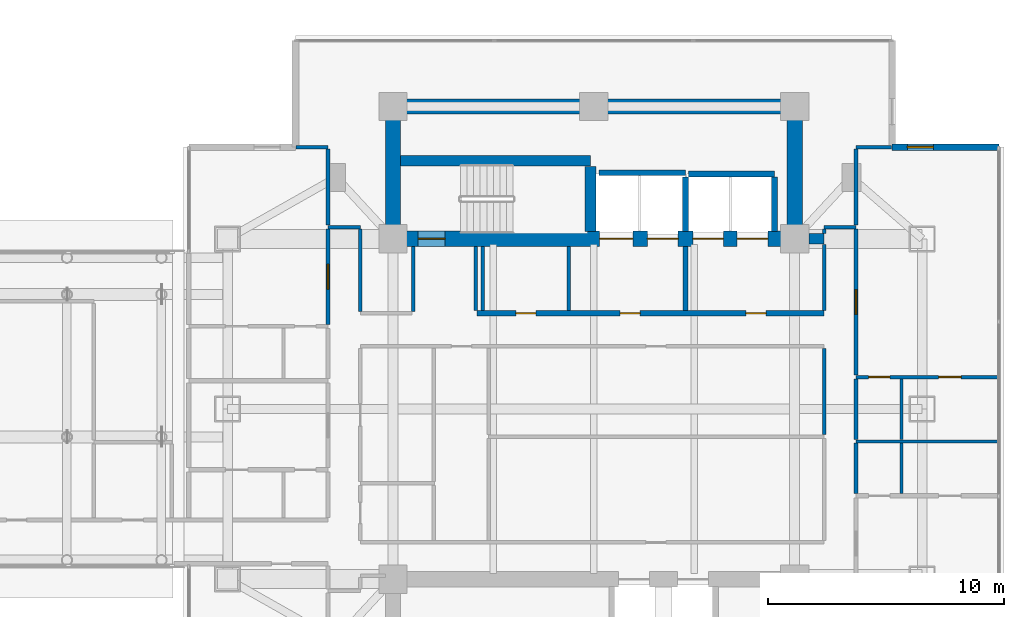
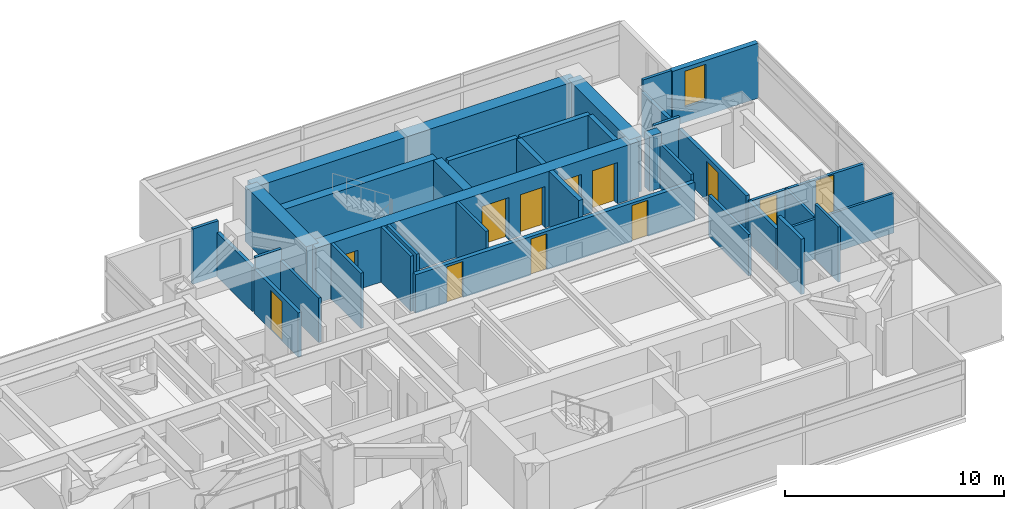
# One storey, part 21 of 29: 36 walls, 12 doors, 1 window, 13 openings.
"""IFC4 building model written with IfcOpenShell, lengths in metres."""

from ifc_helpers import new_model, si_unit, direction, frame, frame_2d, origin, place, context, subcontext, project, spatial, rectangle, extrude, material, layer, layer_set, type_object, element, fill, save


model = new_model("IFC4")

# Units and contexts
model_context = context("Model", 3, precision=1e-05, world=origin(), true_north=direction((0.0, 1.0)))
body_context = subcontext(model_context, "Body", "Model", "MODEL_VIEW")
ifc_project = project(units=[si_unit("LENGTHUNIT", "METRE"), si_unit("AREAUNIT", "SQUARE_METRE"), si_unit("VOLUMEUNIT", "CUBIC_METRE"), si_unit("PLANEANGLEUNIT", "RADIAN"), si_unit("MASSUNIT", "GRAM", prefix="KILO")], contexts=[model_context])

# Site, building, storey
site_placement = place(None, origin())
site = spatial("IfcSite", under=ifc_project, at=site_placement, CompositionType="ELEMENT")
building_placement = place(site_placement, origin())
building = spatial("IfcBuilding", under=site, at=building_placement, Name="Mirazonda Arch Towers", CompositionType="ELEMENT")
storey_placement = place(building_placement, frame((0.0, 0.0, 88.39990234375)))
storey = spatial("IfcBuildingStorey", under=building, at=storey_placement, Name="L24", CompositionType="ELEMENT", Elevation=88.39990234375)

# Walls
ifc_material_1 = material(Name="Concrete C50/60", Category="concrete")
ifc_layer_1 = layer(ifc_material_1, 0.449951171875, Name="WALL-CORE-450")
ifc_layer_set_1 = layer_set([ifc_layer_1], Name="Concrete C50/60")
wall_type_1 = type_object("IfcWallType", Name="WALL-CORE-450", PredefinedType="SHEAR", material=ifc_layer_set_1)
wall_1_placement = place(storey_placement, frame((85.614990234375, 35.199951171875, 0.0), z_axis=(0.0, 0.0, 1.0), x_axis=(1.0, 0.0, 0.0)))
element("IfcWall", 1, at=wall_1_placement, inside=storey, type_object=wall_type_1, Name="L24 Stair Core Shear Wall 051", PredefinedType="SHEAR", context=body_context, shape_type="SweptSolid", body=[
    extrude(rectangle(XDim=0.635009765625, YDim=0.449951171875, at=frame_2d((0.3173828125, 0.0))), origin(), (0.0, 0.0, 1.0), 3.080078125),
])
wall_2_placement = place(storey_placement, frame((68.320068359375, 38.5, 0.0), z_axis=(0.0, 0.0, 1.0), x_axis=(1.0, 0.0, 0.0)))
element("IfcWall", 2, at=wall_2_placement, inside=storey, type_object=wall_type_1, Name="L24 Stair Core Shear Wall 056", PredefinedType="SHEAR", context=body_context, shape_type="SweptSolid", body=[
    extrude(rectangle(XDim=8.0400390625, YDim=0.449951171875, at=frame_2d((4.02001953125, 0.0))), origin(), (0.0, 0.0, 1.0), 3.080078125),
])
wall_3_placement = place(storey_placement, frame((76.360107421875, 35.52001953125, 0.0), z_axis=(0.0, 0.0, 1.0), x_axis=(0.0, 1.0, 0.0)))
element("IfcWall", 3, at=wall_3_placement, inside=storey, type_object=wall_type_1, Name="L24 Stair Core Shear Wall 155", PredefinedType="SHEAR", context=body_context, shape_type="SweptSolid", body=[
    extrude(rectangle(XDim=2.744873046875, YDim=0.449951171875, at=frame_2d((1.37255859375, 0.0))), origin(), (0.0, 0.0, 1.0), 3.080078125),
])
ifc_material_2 = material(Name="Concrete C60/75", Category="concrete")
ifc_layer_2 = layer(ifc_material_2, 0.64990234375, Name="WALL-CORE-650")
ifc_layer_set_2 = layer_set([ifc_layer_2], Name="Concrete C60/75")
wall_type_2 = type_object("IfcWallType", Name="WALL-CORE-650", PredefinedType="SHEAR", material=ifc_layer_set_2)
wall_4_placement = place(storey_placement, frame((68.0, 40.800048828125, 0.0), z_axis=(0.0, 0.0, 1.0), x_axis=(1.0, 0.0, 0.0)))
element("IfcWall", 4, at=wall_4_placement, inside=storey, type_object=wall_type_2, Name="L24 T2N-N Core Shear Wall", PredefinedType="SHEAR", context=body_context, shape_type="SweptSolid", body=[
    extrude(rectangle(XDim=17.0, YDim=0.64990234375, at=frame_2d((8.5, 0.0))), origin(), (0.0, 0.0, 1.0), 3.080078125),
])
for number, where, z_axis, x_axis, name in (
    (5, (68.0, 35.199951171875, 0.0), (0.0, 0.0, 1.0), (0.0, 1.0, 0.0), "L24 T2N-W Core Shear Wall"),
    (6, (85.0, 35.199951171875, 0.0), (0.0, 0.0, 1.0), (0.0, 1.0, 0.0), "L24 T2N-E Core Shear Wall"),
):
    element("IfcWall", number, at=place(storey_placement, frame(where, z_axis=z_axis, x_axis=x_axis)), inside=storey, type_object=wall_type_2, Name=name, PredefinedType="SHEAR", context=body_context, shape_type="SweptSolid", body=[
        extrude(rectangle(XDim=5.60009765625, YDim=0.64990234375, at=frame_2d((2.800048828125, 0.0))), origin(), (0.0, 0.0, 1.0), 3.080078125),
    ])

# Wall, openings, doors
wall_5_placement = place(storey_placement, frame((68.0, 35.199951171875, 0.0), z_axis=(0.0, 0.0, 1.0), x_axis=(1.0, 0.0, 0.0)))
wall_5 = element("IfcWall", 7, at=wall_5_placement, inside=storey, type_object=wall_type_2, Name="L24 T2N-S Core Shear Wall", PredefinedType="SHEAR", context=body_context, shape_type="SweptSolid", body=[
    extrude(rectangle(XDim=17.0, YDim=0.64990234375, at=frame_2d((8.5, 0.0))), origin(), (0.0, 0.0, 1.0), 3.080078125),
])
opening_1_placement = place(wall_5_placement, frame((1.06005859375, 0.0, 0.0)))
opening_1 = element("IfcOpeningElement", 8, at=opening_1_placement, cuts=wall_5, Name="Opening DR-135", PredefinedType="OPENING", context=body_context, shape_type="SweptSolid", body=[
    extrude(rectangle(XDim=1.14990234375, YDim=2.199951171875, at=frame_2d((0.574951171875, 1.10009765625))), frame((0.0, 0.3349609375, 0.0), z_axis=(0.0, -1.0, 0.0), x_axis=(1.0, 0.0, 0.0)), (0.0, 0.0, 1.0), 0.669921875),
])
opening_2_placement = place(wall_5_placement, frame((8.75, 0.0, 0.0)))
opening_2 = element("IfcOpeningElement", 9, at=opening_2_placement, cuts=wall_5, Name="Opening LD-112", PredefinedType="OPENING", context=body_context, shape_type="SweptSolid", body=[
    extrude(rectangle(XDim=1.39990234375, YDim=2.35009765625, at=frame_2d((0.699951171875, 1.175048828125))), frame((0.0, 0.3349609375, 0.0), z_axis=(0.0, -1.0, 0.0), x_axis=(1.0, 0.0, 0.0)), (0.0, 0.0, 1.0), 0.669921875),
])
opening_3_placement = place(wall_5_placement, frame((10.77001953125, 0.0, 0.0)))
opening_3 = element("IfcOpeningElement", 10, at=opening_3_placement, cuts=wall_5, Name="Opening LD-111", PredefinedType="OPENING", context=body_context, shape_type="SweptSolid", body=[
    extrude(rectangle(XDim=1.300048828125, YDim=2.300048828125, at=frame_2d((0.64990234375, 1.14990234375))), frame((0.0, 0.3349609375, 0.0), z_axis=(0.0, -1.0, 0.0), x_axis=(1.0, 0.0, 0.0)), (0.0, 0.0, 1.0), 0.669921875),
])
opening_4_placement = place(wall_5_placement, frame((12.68994140625, 0.0, 0.0)))
opening_4 = element("IfcOpeningElement", 11, at=opening_4_placement, cuts=wall_5, Name="Opening LD-111", PredefinedType="OPENING", context=body_context, shape_type="SweptSolid", body=[
    extrude(rectangle(XDim=1.300048828125, YDim=2.300048828125, at=frame_2d((0.64990234375, 1.14990234375))), frame((0.0, 0.3349609375, 0.0), z_axis=(0.0, -1.0, 0.0), x_axis=(1.0, 0.0, 0.0)), (0.0, 0.0, 1.0), 0.669921875),
])
opening_5_placement = place(wall_5_placement, frame((14.570068359375, 0.0, 0.0)))
opening_5 = element("IfcOpeningElement", 12, at=opening_5_placement, cuts=wall_5, Name="Opening LD-111", PredefinedType="OPENING", context=body_context, shape_type="SweptSolid", body=[
    extrude(rectangle(XDim=1.300048828125, YDim=2.300048828125, at=frame_2d((0.64990234375, 1.14990234375))), frame((0.0, 0.3349609375, 0.0), z_axis=(0.0, -1.0, 0.0), x_axis=(1.0, 0.0, 0.0)), (0.0, 0.0, 1.0), 0.669921875),
])
ifc_material_3 = material(Name="Architectural Brushed Steel S355", Category="steel")
door_type_1 = type_object("IfcDoorType", Name="DOOR-LIFT-FFL-1400", OperationType="NOTDEFINED", PredefinedType="DOOR", material=ifc_material_3)
door_1_placement = place(opening_2_placement, origin())
door_1 = element("IfcDoor", 13, at=door_1_placement, inside=storey, type_object=door_type_1, Name="L24 Lift Landing Sliding Door FFL-T2", OperationType="DOUBLE_DOOR_SLIDING", OverallHeight=2.35009765625, OverallWidth=1.39990234375, PredefinedType="DOOR", context=body_context, shape_type="SweptSolid", body=[
    extrude(rectangle(XDim=1.39990234375, YDim=2.35009765625, at=frame_2d((0.699951171875, 1.175048828125))), frame((0.0, 0.02490234375, 0.0), z_axis=(0.0, -1.0, 0.0), x_axis=(1.0, 0.0, 0.0)), (0.0, 0.0, 1.0), 0.050048828125),
])
fill(opening_2, door_1)
door_type_2 = type_object("IfcDoorType", Name="DOOR-LIFT-LAND-1300", OperationType="NOTDEFINED", PredefinedType="DOOR", material=ifc_material_3)
door_2_placement = place(opening_3_placement, origin())
door_2 = element("IfcDoor", 14, at=door_2_placement, inside=storey, type_object=door_type_2, Name="L24 Lift Landing Sliding Door SVL-T2", OperationType="DOUBLE_DOOR_SLIDING", OverallHeight=2.300048828125, OverallWidth=1.300048828125, PredefinedType="DOOR", context=body_context, shape_type="SweptSolid", body=[
    extrude(rectangle(XDim=1.300048828125, YDim=2.300048828125, at=frame_2d((0.64990234375, 1.14990234375))), frame((0.0, 0.02490234375, 0.0), z_axis=(0.0, -1.0, 0.0), x_axis=(1.0, 0.0, 0.0)), (0.0, 0.0, 1.0), 0.050048828125),
])
fill(opening_3, door_2)
door_3_placement = place(opening_4_placement, origin())
door_3 = element("IfcDoor", 15, at=door_3_placement, inside=storey, type_object=door_type_2, Name="L24 Lift Landing Sliding Door PL-T2L1", OperationType="DOUBLE_DOOR_SLIDING", OverallHeight=2.300048828125, OverallWidth=1.300048828125, PredefinedType="DOOR", context=body_context, shape_type="SweptSolid", body=[
    extrude(rectangle(XDim=1.300048828125, YDim=2.300048828125, at=frame_2d((0.64990234375, 1.14990234375))), frame((0.0, 0.02490234375, 0.0), z_axis=(0.0, -1.0, 0.0), x_axis=(1.0, 0.0, 0.0)), (0.0, 0.0, 1.0), 0.050048828125),
])
fill(opening_4, door_3)
door_4_placement = place(opening_5_placement, origin())
door_4 = element("IfcDoor", 16, at=door_4_placement, inside=storey, type_object=door_type_2, Name="L24 Lift Landing Sliding Door PL-T2L2", OperationType="DOUBLE_DOOR_SLIDING", OverallHeight=2.300048828125, OverallWidth=1.300048828125, PredefinedType="DOOR", context=body_context, shape_type="SweptSolid", body=[
    extrude(rectangle(XDim=1.300048828125, YDim=2.300048828125, at=frame_2d((0.64990234375, 1.14990234375))), frame((0.0, 0.02490234375, 0.0), z_axis=(0.0, -1.0, 0.0), x_axis=(1.0, 0.0, 0.0)), (0.0, 0.0, 1.0), 0.050048828125),
])
fill(opening_5, door_4)
door_type_3 = type_object("IfcDoorType", Name="DOOR-STAIR-FD90-1150", OperationType="NOTDEFINED", PredefinedType="DOOR", material=ifc_material_3)
door_5_placement = place(opening_1_placement, origin())
door_5 = element("IfcDoor", 17, at=door_5_placement, inside=storey, type_object=door_type_3, Name="L24 East Protected Stair North Door", OperationType="SINGLE_SWING_RIGHT", OverallHeight=2.199951171875, OverallWidth=1.14990234375, PredefinedType="DOOR", context=body_context, shape_type="SweptSolid", body=[
    extrude(rectangle(XDim=1.14990234375, YDim=2.199951171875, at=frame_2d((0.574951171875, 1.10009765625))), frame((0.0, 0.02490234375, 0.0), z_axis=(0.0, -1.0, 0.0), x_axis=(1.0, 0.0, 0.0)), (0.0, 0.0, 1.0), 0.050048828125),
])
fill(opening_1, door_5)

# Wall, opening, window
ifc_material_4 = material(Name="Precast Concrete C40/50", Category="concrete")
ifc_layer_3 = layer(ifc_material_4, 0.280029296875, Name="WALL-EXT-WALL-280")
ifc_layer_set_3 = layer_set([ifc_layer_3], Name="Precast Concrete C40/50")
wall_type_3 = type_object("IfcWallType", Name="WALL-EXT-WALL-280", PredefinedType="SOLIDWALL", material=ifc_layer_set_3)
wall_6_placement = place(storey_placement, frame((93.642578125, 39.081298828125, 0.0), z_axis=(0.0, 0.0, 1.0), x_axis=(-1.0, 0.0, 0.0)))
wall_6 = element("IfcWall", 18, at=wall_6_placement, inside=storey, type_object=wall_type_3, Name="L24 T2 Corner Notch Return Wall WL-L24-T2-CNE2", PredefinedType="SOLIDWALL", context=body_context, shape_type="SweptSolid", body=[
    extrude(rectangle(XDim=4.516357421875, YDim=0.280029296875, at=frame_2d((2.25830078125, 0.0))), origin(), (0.0, 0.0, 1.0), 3.06005859375),
])
opening_6_placement = place(wall_6_placement, frame((2.76611328125, 0.0, 0.85009765625)))
opening_6 = element("IfcOpeningElement", 19, at=opening_6_placement, cuts=wall_6, Name="Opening WN-108", PredefinedType="OPENING", context=body_context, shape_type="SweptSolid", body=[
    extrude(rectangle(XDim=1.10009765625, YDim=2.0, at=frame_2d((0.550048828125, 1.0))), frame((0.0, 0.14990234375, 0.0), z_axis=(0.0, -1.0, 0.0), x_axis=(1.0, 0.0, 0.0)), (0.0, 0.0, 1.0), 0.300048828125),
])
ifc_material_5 = material(Name="Insulated Low-E Solar Glass", Category="glass")
window_type = type_object("IfcWindowType", Name="WIN-NOTCH-1100x2000", PartitioningType="SINGLE_PANEL", PredefinedType="WINDOW", material=ifc_material_5)
window_placement = place(opening_6_placement, origin())
window = element("IfcWindow", 20, at=window_placement, inside=storey, type_object=window_type, Name="L24 Punched Facade Window WN-L24-T2-CNE2", OverallHeight=2.0, OverallWidth=1.10009765625, PartitioningType="SINGLE_PANEL", PredefinedType="WINDOW", context=body_context, shape_type="SweptSolid", body=[
    extrude(rectangle(XDim=1.10009765625, YDim=2.0, at=frame_2d((0.550048828125, 1.0))), frame((0.0, 0.030029296875, 0.0), z_axis=(0.0, -1.0, 0.0), x_axis=(1.0, 0.0, 0.0)), (0.0, 0.0, 1.0), 0.06005859375),
])
fill(opening_6, window)

# Wall, openings, doors
ifc_material_6 = material(Name="Concrete C40/50", Category="concrete")
ifc_layer_4 = layer(ifc_material_6, 0.219970703125, Name="WALL-FFL-220")
ifc_layer_set_4 = layer_set([ifc_layer_4], Name="Concrete C40/50")
wall_type_4 = type_object("IfcWallType", Name="WALL-FFL-220", PredefinedType="SOLIDWALL", material=ifc_layer_set_4)
wall_7_placement = place(storey_placement, frame((71.550048828125, 32.050048828125, 0.0), z_axis=(0.0, 0.0, 1.0), x_axis=(1.0, 0.0, 0.0)))
wall_7 = element("IfcWall", 21, at=wall_7_placement, inside=storey, type_object=wall_type_4, Name="L24 Interior Partition 043", PredefinedType="SOLIDWALL", context=body_context, shape_type="SweptSolid", body=[
    extrude(rectangle(XDim=14.699951171875, YDim=0.219970703125, at=frame_2d((7.35009765625, 0.0))), origin(), (0.0, 0.0, 1.0), 2.14501953125),
])
opening_7_placement = place(wall_7_placement, frame((11.389892578125, 0.0, 0.0)))
opening_7 = element("IfcOpeningElement", 22, at=opening_7_placement, cuts=wall_7, Name="Opening DR-128", PredefinedType="OPENING", context=body_context, shape_type="SweptSolid", body=[
    extrude(rectangle(XDim=0.85009765625, YDim=2.010009765625, at=frame_2d((0.425048828125, 1.0048828125))), frame((0.0, 0.119873046875, 0.0), z_axis=(0.0, -1.0, 0.0), x_axis=(1.0, 0.0, 0.0)), (0.0, 0.0, 1.0), 0.239990234375),
])
opening_8_placement = place(wall_7_placement, frame((6.06494140625, 0.0, 0.0)))
opening_8 = element("IfcOpeningElement", 23, at=opening_8_placement, cuts=wall_7, Name="Opening DR-128", PredefinedType="OPENING", context=body_context, shape_type="SweptSolid", body=[
    extrude(rectangle(XDim=0.85009765625, YDim=2.010009765625, at=frame_2d((0.425048828125, 1.0048828125))), frame((0.0, 0.119873046875, 0.0), z_axis=(0.0, -1.0, 0.0), x_axis=(1.0, 0.0, 0.0)), (0.0, 0.0, 1.0), 0.239990234375),
])
opening_9_placement = place(wall_7_placement, frame((1.64990234375, 0.0, 0.0)))
opening_9 = element("IfcOpeningElement", 24, at=opening_9_placement, cuts=wall_7, Name="Opening DR-128", PredefinedType="OPENING", context=body_context, shape_type="SweptSolid", body=[
    extrude(rectangle(XDim=0.85009765625, YDim=2.010009765625, at=frame_2d((0.425048828125, 1.0048828125))), frame((0.0, 0.119873046875, 0.0), z_axis=(0.0, -1.0, 0.0), x_axis=(1.0, 0.0, 0.0)), (0.0, 0.0, 1.0), 0.239990234375),
])
door_type_4 = type_object("IfcDoorType", Name="DOOR-RISER-FD60-850", OperationType="NOTDEFINED", PredefinedType="DOOR", material=ifc_material_3)
door_6_placement = place(opening_7_placement, origin())
door_6 = element("IfcDoor", 25, at=door_6_placement, inside=storey, type_object=door_type_4, Name="L24 East Passenger Lift Lobby Door", OperationType="SINGLE_SWING_LEFT", OverallHeight=2.010009765625, OverallWidth=0.85009765625, PredefinedType="DOOR", context=body_context, shape_type="SweptSolid", body=[
    extrude(rectangle(XDim=0.85009765625, YDim=2.010009765625, at=frame_2d((0.425048828125, 1.0048828125))), frame((0.0, 0.02490234375, 0.0), z_axis=(0.0, -1.0, 0.0), x_axis=(1.0, 0.0, 0.0)), (0.0, 0.0, 1.0), 0.050048828125),
])
fill(opening_7, door_6)
door_7_placement = place(opening_8_placement, origin())
door_7 = element("IfcDoor", 26, at=door_7_placement, inside=storey, type_object=door_type_4, Name="L24 East Firefighting Lift Lobby Door", OperationType="SINGLE_SWING_LEFT", OverallHeight=2.010009765625, OverallWidth=0.85009765625, PredefinedType="DOOR", context=body_context, shape_type="SweptSolid", body=[
    extrude(rectangle(XDim=0.85009765625, YDim=2.010009765625, at=frame_2d((0.425048828125, 1.0048828125))), frame((0.0, 0.02490234375, 0.0), z_axis=(0.0, -1.0, 0.0), x_axis=(1.0, 0.0, 0.0)), (0.0, 0.0, 1.0), 0.050048828125),
])
fill(opening_8, door_7)
door_8_placement = place(opening_9_placement, origin())
door_8 = element("IfcDoor", 27, at=door_8_placement, inside=storey, type_object=door_type_4, Name="L24 Tower 2 Housekeeping & Linen Room Door", OperationType="SINGLE_SWING_RIGHT", OverallHeight=2.010009765625, OverallWidth=0.85009765625, PredefinedType="DOOR", context=body_context, shape_type="SweptSolid", body=[
    extrude(rectangle(XDim=0.85009765625, YDim=2.010009765625, at=frame_2d((0.425048828125, 1.0048828125))), frame((0.0, 0.02490234375, 0.0), z_axis=(0.0, -1.0, 0.0), x_axis=(1.0, 0.0, 0.0)), (0.0, 0.0, 1.0), 0.050048828125),
])
fill(opening_9, door_8)

# Wall
wall_8_placement = place(storey_placement, frame((80.3798828125, 32.169921875, 0.0), z_axis=(0.0, 0.0, 1.0), x_axis=(0.0, 1.0, 0.0)))
element("IfcWall", 28, at=wall_8_placement, inside=storey, type_object=wall_type_4, Name="L24 Interior Partition 157", PredefinedType="SOLIDWALL", context=body_context, shape_type="SweptSolid", body=[
    extrude(rectangle(XDim=2.7099609375, YDim=0.219970703125, at=frame_2d((1.35498046875, 0.0))), origin(), (0.0, 0.0, 1.0), 3.080078125),
])

# Wall, openings, doors
ifc_material_7 = material(Name="Fire-Rated Gypsum Stud Partition")
ifc_layer_5 = layer(ifc_material_7, 0.14990234375, Name="WALL-PART-CORR-150")
ifc_layer_set_5 = layer_set([ifc_layer_5], Name="Fire-Rated Gypsum Stud Partition")
wall_type_5 = type_object("IfcWallType", Name="WALL-PART-CORR-150", PredefinedType="PARTITIONING", material=ifc_layer_set_5)
wall_9_placement = place(storey_placement, frame((87.60009765625, 29.35205078125, 0.0), z_axis=(0.0, 0.0, 1.0), x_axis=(1.0, 0.0, 0.0)))
wall_9 = element("IfcWall", 29, at=wall_9_placement, inside=storey, type_object=wall_type_5, Name="L24 Interior Partition 037", PredefinedType="PARTITIONING", context=body_context, shape_type="SweptSolid", body=[
    extrude(rectangle(XDim=6.0419921875, YDim=0.14990234375, at=frame_2d((3.02099609375, 0.0))), origin(), (0.0, 0.0, 1.0), 2.216064453125),
])
opening_10_placement = place(wall_9_placement, frame((3.492431640625, 0.0, 0.0)))
opening_10 = element("IfcOpeningElement", 30, at=opening_10_placement, cuts=wall_9, Name="Opening DR-104", PredefinedType="OPENING", context=body_context, shape_type="SweptSolid", body=[
    extrude(rectangle(XDim=0.949951171875, YDim=2.14990234375, at=frame_2d((0.47509765625, 1.074951171875))), frame((0.0, 0.0849609375, 0.0), z_axis=(0.0, -1.0, 0.0), x_axis=(1.0, 0.0, 0.0)), (0.0, 0.0, 1.0), 0.169921875),
])
opening_11_placement = place(wall_9_placement, frame((0.53662109375, 0.0, 0.0)))
opening_11 = element("IfcOpeningElement", 31, at=opening_11_placement, cuts=wall_9, Name="Opening DR-120", PredefinedType="OPENING", context=body_context, shape_type="SweptSolid", body=[
    extrude(rectangle(XDim=0.89990234375, YDim=2.10009765625, at=frame_2d((0.449951171875, 1.050048828125))), frame((0.0, 0.0849609375, 0.0), z_axis=(0.0, -1.0, 0.0), x_axis=(1.0, 0.0, 0.0)), (0.0, 0.0, 1.0), 0.169921875),
])
door_type_5 = type_object("IfcDoorType", Name="DOOR-ROOM-950", OperationType="NOTDEFINED", PredefinedType="DOOR", material=ifc_material_3)
door_9_placement = place(opening_10_placement, origin())
door_9 = element("IfcDoor", 32, at=door_9_placement, inside=storey, type_object=door_type_5, Name="L24 Suite Bedroom 2 Door", OperationType="SINGLE_SWING_LEFT", OverallHeight=2.14990234375, OverallWidth=0.949951171875, PredefinedType="DOOR", context=body_context, shape_type="SweptSolid", body=[
    extrude(rectangle(XDim=0.949951171875, YDim=2.14990234375, at=frame_2d((0.47509765625, 1.074951171875))), frame((0.0, 0.02490234375, 0.0), z_axis=(0.0, -1.0, 0.0), x_axis=(1.0, 0.0, 0.0)), (0.0, 0.0, 1.0), 0.050048828125),
])
fill(opening_10, door_9)
door_type_6 = type_object("IfcDoorType", Name="DOOR-WC-900", OperationType="NOTDEFINED", PredefinedType="DOOR", material=ifc_material_3)
door_10_placement = place(opening_11_placement, origin())
door_10 = element("IfcDoor", 33, at=door_10_placement, inside=storey, type_object=door_type_6, Name="L24 Suite En-Suite Bathroom 2 Door", OperationType="SINGLE_SWING_RIGHT", OverallHeight=2.10009765625, OverallWidth=0.89990234375, PredefinedType="DOOR", context=body_context, shape_type="SweptSolid", body=[
    extrude(rectangle(XDim=0.89990234375, YDim=2.10009765625, at=frame_2d((0.449951171875, 1.050048828125))), frame((0.0, 0.02490234375, 0.0), z_axis=(0.0, -1.0, 0.0), x_axis=(1.0, 0.0, 0.0)), (0.0, 0.0, 1.0), 0.050048828125),
])
fill(opening_11, door_10)

# Walls
wall_10_placement = place(storey_placement, frame((65.25, 35.699951171875, 0.0), z_axis=(0.0, 0.0, 1.0), x_axis=(1.0, 0.0, 0.0)))
element("IfcWall", 34, at=wall_10_placement, inside=storey, type_object=wall_type_5, Name="L24 Interior Partition 052", PredefinedType="PARTITIONING", context=body_context, shape_type="SweptSolid", body=[
    extrude(rectangle(XDim=1.3701171875, YDim=0.14990234375, at=frame_2d((0.68505859375, 0.0))), origin(), (0.0, 0.0, 1.0), 3.080078125),
])
wall_11_placement = place(storey_placement, frame((86.25, 35.699951171875, 0.0), z_axis=(0.0, 0.0, 1.0), x_axis=(1.0, 0.0, 0.0)))
element("IfcWall", 35, at=wall_11_placement, inside=storey, type_object=wall_type_5, Name="L24 Interior Partition 053", PredefinedType="PARTITIONING", context=body_context, shape_type="SweptSolid", body=[
    extrude(rectangle(XDim=1.35009765625, YDim=0.14990234375, at=frame_2d((0.675048828125, 0.0))), origin(), (0.0, 0.0, 1.0), 3.080078125),
])
wall_12_placement = place(storey_placement, frame((63.893798828125, 39.0810546875, 0.0), z_axis=(0.0, 0.0, 1.0), x_axis=(1.0, 0.0, 0.0)))
element("IfcWall", 36, at=wall_12_placement, inside=storey, type_object=wall_type_5, Name="L24 Interior Partition 057", PredefinedType="PARTITIONING", context=body_context, shape_type="SweptSolid", body=[
    extrude(rectangle(XDim=1.356201171875, YDim=0.14990234375, at=frame_2d((0.67822265625, 0.0))), origin(), (0.0, 0.0, 1.0), 3.080078125),
])
wall_13_placement = place(storey_placement, frame((87.60009765625, 39.0810546875, 0.0), z_axis=(0.0, 0.0, 1.0), x_axis=(1.0, 0.0, 0.0)))
element("IfcWall", 37, at=wall_13_placement, inside=storey, type_object=wall_type_5, Name="L24 Interior Partition 058", PredefinedType="PARTITIONING", context=body_context, shape_type="SweptSolid", body=[
    extrude(rectangle(XDim=1.506103515625, YDim=0.14990234375, at=frame_2d((0.7529296875, 0.0))), origin(), (0.0, 0.0, 1.0), 3.080078125),
])
wall_14_placement = place(storey_placement, frame((66.6201171875, 32.135009765625, 0.0), z_axis=(0.0, 0.0, 1.0), x_axis=(0.0, 1.0, 0.0)))
element("IfcWall", 38, at=wall_14_placement, inside=storey, type_object=wall_type_5, Name="L24 Interior Partition 145", PredefinedType="PARTITIONING", context=body_context, shape_type="SweptSolid", body=[
    extrude(rectangle(XDim=3.47998046875, YDim=0.14990234375, at=frame_2d((1.739990234375, 0.0))), origin(), (0.0, 0.0, 1.0), 2.47216796875),
])
wall_15_placement = place(storey_placement, frame((68.85009765625, 32.135009765625, 0.0), z_axis=(0.0, 0.0, 1.0), x_axis=(0.0, 1.0, 0.0)))
element("IfcWall", 39, at=wall_15_placement, inside=storey, type_object=wall_type_5, Name="L24 Interior Partition 146", PredefinedType="PARTITIONING", context=body_context, shape_type="SweptSolid", body=[
    extrude(rectangle(XDim=2.744873046875, YDim=0.14990234375, at=frame_2d((1.37255859375, 0.0))), origin(), (0.0, 0.0, 1.0), 3.080078125),
])
for number, where, z_axis, x_axis, name in (
    (40, (71.5, 32.169921875, 0.0), (0.0, 0.0, 1.0), (0.0, 1.0, 0.0), "L24 Interior Partition 149"),
    (41, (71.800048828125, 32.169921875, 0.0), (0.0, 0.0, 1.0), (0.0, 1.0, 0.0), "L24 Interior Partition 150"),
    (42, (75.449951171875, 32.169921875, 0.0), (0.0, 0.0, 1.0), (0.0, 1.0, 0.0), "L24 Interior Partition 153"),
):
    element("IfcWall", number, at=place(storey_placement, frame(where, z_axis=z_axis, x_axis=x_axis)), inside=storey, type_object=wall_type_5, Name=name, PredefinedType="PARTITIONING", context=body_context, shape_type="SweptSolid", body=[
        extrude(rectangle(XDim=2.7099609375, YDim=0.14990234375, at=frame_2d((1.35498046875, 0.0))), origin(), (0.0, 0.0, 1.0), 3.080078125),
    ])
wall_16_placement = place(storey_placement, frame((86.25, 26.9169921875, 0.0), z_axis=(0.0, 0.0, 1.0), x_axis=(0.0, 1.0, 0.0)))
element("IfcWall", 43, at=wall_16_placement, inside=storey, type_object=wall_type_5, Name="L24 Interior Partition 163", PredefinedType="PARTITIONING", context=body_context, shape_type="SweptSolid", body=[
    extrude(rectangle(XDim=3.64794921875, YDim=0.14990234375, at=frame_2d((1.823974609375, 0.0))), origin(), (0.0, 0.0, 1.0), 2.299072265625),
])
wall_17_placement = place(storey_placement, frame((86.25, 32.169921875, 0.0), z_axis=(0.0, 0.0, 1.0), x_axis=(0.0, 1.0, 0.0)))
element("IfcWall", 44, at=wall_17_placement, inside=storey, type_object=wall_type_5, Name="L24 Interior Partition 164", PredefinedType="PARTITIONING", context=body_context, shape_type="SweptSolid", body=[
    extrude(rectangle(XDim=2.795166015625, YDim=0.14990234375, at=frame_2d((1.3974609375, 0.0))), origin(), (0.0, 0.0, 1.0), 2.47216796875),
])
wall_18_placement = place(storey_placement, frame((86.25, 35.43505859375, 0.0), z_axis=(0.0, 0.0, 1.0), x_axis=(0.0, 1.0, 0.0)))
element("IfcWall", 45, at=wall_18_placement, inside=storey, type_object=wall_type_5, Name="L24 Interior Partition 165", PredefinedType="PARTITIONING", context=body_context, shape_type="SweptSolid", body=[
    extrude(rectangle(XDim=0.179931640625, YDim=0.14990234375, at=frame_2d((0.08984375, 0.0))), origin(), (0.0, 0.0, 1.0), 2.47216796875),
])

# Wall, opening, door
ifc_material_8 = material(Name="Fire-Rated Gypsum Twin-Stud Assembly")
ifc_layer_6 = layer(ifc_material_8, 0.179931640625, Name="WALL-PART-DEMISE-180")
ifc_layer_set_6 = layer_set([ifc_layer_6], Name="Fire-Rated Gypsum Twin-Stud Assembly")
wall_type_6 = type_object("IfcWallType", Name="WALL-PART-DEMISE-180", PredefinedType="PARTITIONING", material=ifc_layer_set_6)
wall_19_placement = place(storey_placement, frame((65.25, 31.5849609375, 0.0), z_axis=(0.0, 0.0, 1.0), x_axis=(0.0, 1.0, 0.0)))
wall_19 = element("IfcWall", 46, at=wall_19_placement, inside=storey, type_object=wall_type_6, Name="L24 Interior Partition 140", PredefinedType="PARTITIONING", context=body_context, shape_type="SweptSolid", body=[
    extrude(rectangle(XDim=4.030029296875, YDim=0.179931640625, at=frame_2d((2.01513671875, 0.0))), origin(), (0.0, 0.0, 1.0), 2.47216796875),
])
opening_12_placement = place(wall_19_placement, frame((1.489990234375, 0.0, 0.0)))
opening_12 = element("IfcOpeningElement", 47, at=opening_12_placement, cuts=wall_19, Name="Opening DR-121", PredefinedType="OPENING", context=body_context, shape_type="SweptSolid", body=[
    extrude(rectangle(XDim=1.050048828125, YDim=2.199951171875, at=frame_2d((0.52490234375, 1.10009765625))), frame((0.0, 0.099853515625, 0.0), z_axis=(0.0, -1.0, 0.0), x_axis=(1.0, 0.0, 0.0)), (0.0, 0.0, 1.0), 0.199951171875),
])
door_type_7 = type_object("IfcDoorType", Name="DOOR-SUITE-FD60-1050", OperationType="NOTDEFINED", PredefinedType="DOOR", material=ifc_material_3)
door_11_placement = place(opening_12_placement, origin())
door_11 = element("IfcDoor", 48, at=door_11_placement, inside=storey, type_object=door_type_7, Name="L24 Twin Hotel Guestroom 2 Door", OperationType="SINGLE_SWING_RIGHT", OverallHeight=2.199951171875, OverallWidth=1.050048828125, PredefinedType="DOOR", context=body_context, shape_type="SweptSolid", body=[
    extrude(rectangle(XDim=1.050048828125, YDim=2.199951171875, at=frame_2d((0.52490234375, 1.10009765625))), frame((0.0, 0.02490234375, 0.0), z_axis=(0.0, -1.0, 0.0), x_axis=(1.0, 0.0, 0.0)), (0.0, 0.0, 1.0), 0.050048828125),
])
fill(opening_12, door_11)

# Walls
wall_20_placement = place(storey_placement, frame((65.25, 35.784912109375, 0.0), z_axis=(0.0, 0.0, 1.0), x_axis=(0.0, 1.0, 0.0)))
element("IfcWall", 49, at=wall_20_placement, inside=storey, type_object=wall_type_6, Name="L24 Interior Partition 141", PredefinedType="PARTITIONING", context=body_context, shape_type="SweptSolid", body=[
    extrude(rectangle(XDim=3.211181640625, YDim=0.179931640625, at=frame_2d((1.60546875, 0.0))), origin(), (0.0, 0.0, 1.0), 2.4560546875),
])
wall_21_placement = place(storey_placement, frame((87.60009765625, 24.431884765625, 0.0), z_axis=(0.0, 0.0, 1.0), x_axis=(0.0, 1.0, 0.0)))
element("IfcWall", 50, at=wall_21_placement, inside=storey, type_object=wall_type_6, Name="L24 Interior Partition 168", PredefinedType="PARTITIONING", context=body_context, shape_type="SweptSolid", body=[
    extrude(rectangle(XDim=2.127685546875, YDim=0.179931640625, at=frame_2d((1.06396484375, 0.0))), origin(), (0.0, 0.0, 1.0), 3.080078125),
])
wall_22_placement = place(storey_placement, frame((87.60009765625, 26.70458984375, 0.0), z_axis=(0.0, 0.0, 1.0), x_axis=(0.0, 1.0, 0.0)))
element("IfcWall", 51, at=wall_22_placement, inside=storey, type_object=wall_type_6, Name="L24 Interior Partition 169", PredefinedType="PARTITIONING", context=body_context, shape_type="SweptSolid", body=[
    extrude(rectangle(XDim=2.5625, YDim=0.179931640625, at=frame_2d((1.28125, 0.0))), origin(), (0.0, 0.0, 1.0), 2.299072265625),
])

# Wall, opening, door
wall_23_placement = place(storey_placement, frame((87.60009765625, 29.43701171875, 0.0), z_axis=(0.0, 0.0, 1.0), x_axis=(0.0, 1.0, 0.0)))
wall_23 = element("IfcWall", 52, at=wall_23_placement, inside=storey, type_object=wall_type_6, Name="L24 Interior Partition 170", PredefinedType="PARTITIONING", context=body_context, shape_type="SweptSolid", body=[
    extrude(rectangle(XDim=6.177978515625, YDim=0.179931640625, at=frame_2d((3.0888671875, 0.0))), origin(), (0.0, 0.0, 1.0), 2.47216796875),
])
opening_13_placement = place(wall_23_placement, frame((2.56396484375, 0.0, 0.0)))
opening_13 = element("IfcOpeningElement", 53, at=opening_13_placement, cuts=wall_23, Name="Opening DR-121", PredefinedType="OPENING", context=body_context, shape_type="SweptSolid", body=[
    extrude(rectangle(XDim=1.050048828125, YDim=2.199951171875, at=frame_2d((0.52490234375, 1.10009765625))), frame((0.0, 0.099853515625, 0.0), z_axis=(0.0, -1.0, 0.0), x_axis=(1.0, 0.0, 0.0)), (0.0, 0.0, 1.0), 0.199951171875),
])
door_12_placement = place(opening_13_placement, origin())
door_12 = element("IfcDoor", 54, at=door_12_placement, inside=storey, type_object=door_type_7, Name="L24 Deluxe Suite Living Room 2 Door", OperationType="SINGLE_SWING_RIGHT", OverallHeight=2.199951171875, OverallWidth=1.050048828125, PredefinedType="DOOR", context=body_context, shape_type="SweptSolid", body=[
    extrude(rectangle(XDim=1.050048828125, YDim=2.199951171875, at=frame_2d((0.52490234375, 1.10009765625))), frame((0.0, 0.02490234375, 0.0), z_axis=(0.0, -1.0, 0.0), x_axis=(1.0, 0.0, 0.0)), (0.0, 0.0, 1.0), 0.050048828125),
])
fill(opening_13, door_12)

# Walls
wall_24_placement = place(storey_placement, frame((87.60009765625, 35.784912109375, 0.0), z_axis=(0.0, 0.0, 1.0), x_axis=(0.0, 1.0, 0.0)))
element("IfcWall", 55, at=wall_24_placement, inside=storey, type_object=wall_type_6, Name="L24 Interior Partition 171", PredefinedType="PARTITIONING", context=body_context, shape_type="SweptSolid", body=[
    extrude(rectangle(XDim=3.211181640625, YDim=0.179931640625, at=frame_2d((1.60546875, 0.0))), origin(), (0.0, 0.0, 1.0), 2.4560546875),
])
ifc_material_9 = material(Name="Acoustic Fire-Rated Gypsum Partition")
ifc_layer_7 = layer(ifc_material_9, 0.125, Name="WALL-PART-UNIT-125")
ifc_layer_set_7 = layer_set([ifc_layer_7], Name="Acoustic Fire-Rated Gypsum Partition")
wall_type_7 = type_object("IfcWallType", Name="WALL-PART-UNIT-125", PredefinedType="PARTITIONING", material=ifc_layer_set_7)
wall_25_placement = place(storey_placement, frame((87.60009765625, 26.632080078125, 0.0), z_axis=(0.0, 0.0, 1.0), x_axis=(1.0, 0.0, 0.0)))
element("IfcWall", 56, at=wall_25_placement, inside=storey, type_object=wall_type_7, Name="L24 Interior Partition 032", PredefinedType="PARTITIONING", context=body_context, shape_type="SweptSolid", body=[
    extrude(rectangle(XDim=6.0419921875, YDim=0.125, at=frame_2d((3.02099609375, 0.0))), origin(), (0.0, 0.0, 1.0), 2.216064453125),
])
wall_26_placement = place(storey_placement, frame((89.532958984375, 24.431884765625, 0.0), z_axis=(0.0, 0.0, 1.0), x_axis=(0.0, 1.0, 0.0)))
element("IfcWall", 57, at=wall_26_placement, inside=storey, type_object=wall_type_7, Name="L24 Interior Partition 172", PredefinedType="PARTITIONING", context=body_context, shape_type="SweptSolid", body=[
    extrude(rectangle(XDim=2.127685546875, YDim=0.125, at=frame_2d((1.06396484375, 0.0))), origin(), (0.0, 0.0, 1.0), 3.080078125),
])
wall_27_placement = place(storey_placement, frame((89.532958984375, 26.70458984375, 0.0), z_axis=(0.0, 0.0, 1.0), x_axis=(0.0, 1.0, 0.0)))
element("IfcWall", 58, at=wall_27_placement, inside=storey, type_object=wall_type_7, Name="L24 Interior Partition 173", PredefinedType="PARTITIONING", context=body_context, shape_type="SweptSolid", body=[
    extrude(rectangle(XDim=2.5625, YDim=0.125, at=frame_2d((1.28125, 0.0))), origin(), (0.0, 0.0, 1.0), 2.299072265625),
])
ifc_layer_8 = layer(ifc_material_6, 0.25, Name="WALL-SHAFT-250")
ifc_layer_set_8 = layer_set([ifc_layer_8], Name="Concrete C40/50")
wall_type_8 = type_object("IfcWallType", Name="WALL-SHAFT-250", PredefinedType="SOLIDWALL", material=ifc_layer_set_8)
wall_28_placement = place(storey_placement, frame((80.5, 37.949951171875, 0.0), z_axis=(0.0, 0.0, 1.0), x_axis=(1.0, 0.0, 0.0)))
element("IfcWall", 59, at=wall_28_placement, inside=storey, type_object=wall_type_8, Name="L24 Interior Partition 054", PredefinedType="SOLIDWALL", context=body_context, shape_type="SweptSolid", body=[
    extrude(rectangle(XDim=3.64990234375, YDim=0.25, at=frame_2d((1.824951171875, 0.0))), origin(), (0.0, 0.0, 1.0), 3.080078125),
])
wall_29_placement = place(storey_placement, frame((76.719970703125, 38.0, 0.0), z_axis=(0.0, 0.0, 1.0), x_axis=(1.0, 0.0, 0.0)))
element("IfcWall", 60, at=wall_29_placement, inside=storey, type_object=wall_type_8, Name="L24 Interior Partition 055", PredefinedType="SOLIDWALL", context=body_context, shape_type="SweptSolid", body=[
    extrude(rectangle(XDim=3.659912109375, YDim=0.25, at=frame_2d((1.830078125, 0.0))), origin(), (0.0, 0.0, 1.0), 3.080078125),
])
for number, where, z_axis, x_axis, name in (
    (61, (80.3798828125, 35.52001953125, 0.0), (0.0, 0.0, 1.0), (0.0, 1.0, 0.0), "L24 Interior Partition 158"),
    (62, (84.14990234375, 35.52001953125, 0.0), (0.0, 0.0, 1.0), (0.0, 1.0, 0.0), "L24 Interior Partition 160"),
):
    element("IfcWall", number, at=place(storey_placement, frame(where, z_axis=z_axis, x_axis=x_axis)), inside=storey, type_object=wall_type_8, Name=name, PredefinedType="SOLIDWALL", context=body_context, shape_type="SweptSolid", body=[
        extrude(rectangle(XDim=2.294921875, YDim=0.25, at=frame_2d((1.1474609375, 0.0))), origin(), (0.0, 0.0, 1.0), 3.080078125),
    ])

save(model, "model.ifc")
